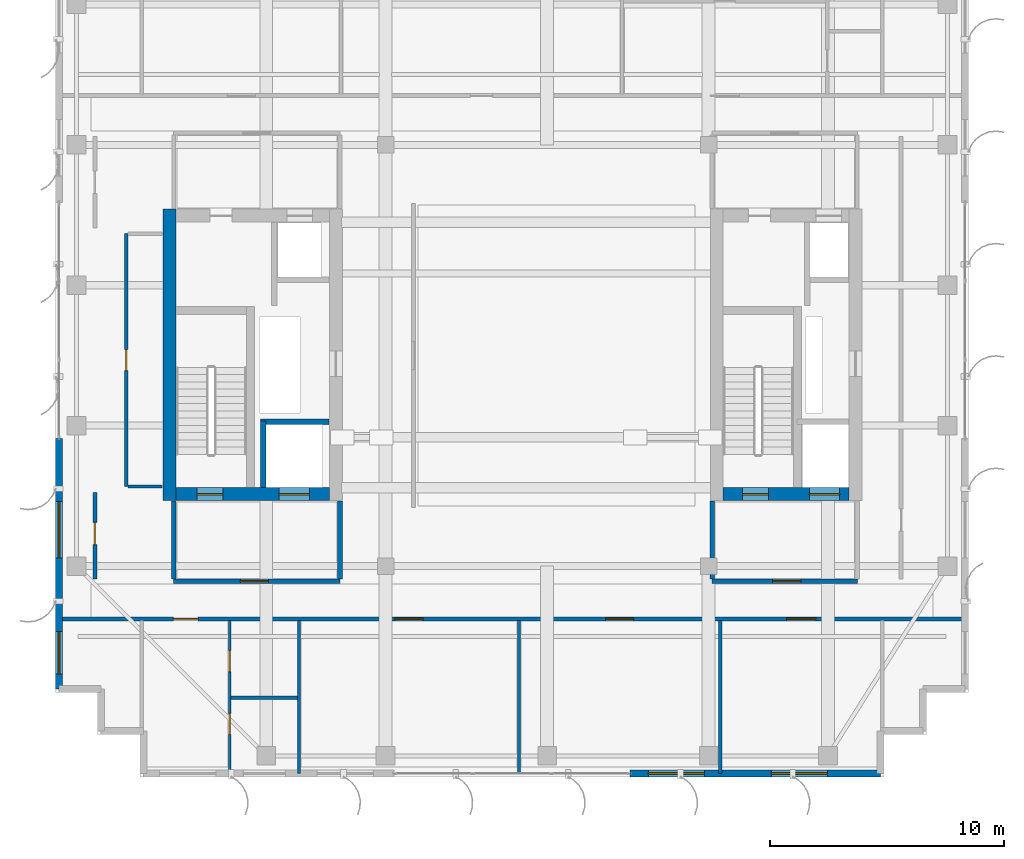
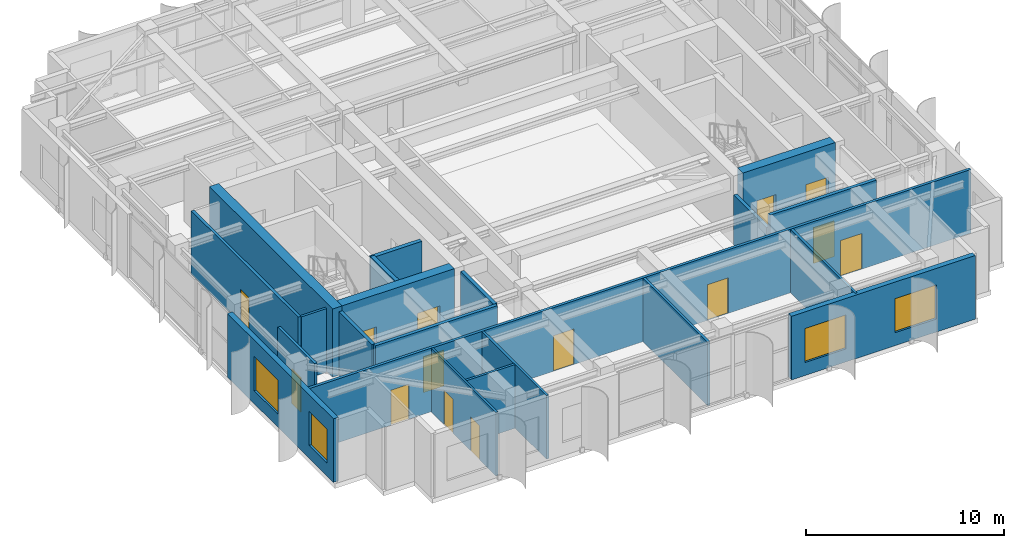
# One storey, part 20 of 26: 21 walls, 14 doors, 4 windows, 18 openings.
"""IFC4 building model written with IfcOpenShell, lengths in metres."""

from ifc_helpers import new_model, si_unit, direction, frame, frame_2d, origin, place, context, subcontext, project, spatial, rectangle, extrude, source, transform, mapped, material, layer, layer_set, type_object, element, fill, save


model = new_model("IFC4")

# Units and contexts
model_context = context("Model", 3, precision=1e-05, world=origin(), true_north=direction((0.0, 1.0)))
body_context = subcontext(model_context, "Body", "Model", "MODEL_VIEW")
ifc_project = project(units=[si_unit("LENGTHUNIT", "METRE"), si_unit("AREAUNIT", "SQUARE_METRE"), si_unit("VOLUMEUNIT", "CUBIC_METRE"), si_unit("PLANEANGLEUNIT", "RADIAN"), si_unit("MASSUNIT", "GRAM", prefix="KILO")], contexts=[model_context])

# Site, building, storey
site_placement = place(None, origin())
site = spatial("IfcSite", under=ifc_project, at=site_placement, CompositionType="ELEMENT")
building_placement = place(site_placement, origin())
building = spatial("IfcBuilding", under=site, at=building_placement, Name="Khoralis Quay Care Tower", CompositionType="ELEMENT")
storey_placement = place(building_placement, frame((0.0, 0.0, 289.5)))
storey = spatial("IfcBuildingStorey", under=building, at=storey_placement, Name="L76", CompositionType="ELEMENT", Elevation=289.5)

# Wall, opening, door
ifc_material_1 = material(Name="Gypsum plasterboard on acoustic metal stud")
ifc_layer_1 = layer(ifc_material_1, 0.199951171875)
ifc_layer_set_1 = layer_set([ifc_layer_1], Name="Gypsum plasterboard on acoustic metal stud")
wall_type_1 = type_object("IfcWallType", Name="WL-COMP-200", PredefinedType="PARTITIONING", material=ifc_layer_set_1)
wall_1_placement = place(storey_placement, frame((8.050048828125, 11.35009765625, 0.0), z_axis=(0.0, 0.0, 1.0), x_axis=(1.0, 0.0, 0.0)))
wall_1 = element("IfcWall", 1, at=wall_1_placement, inside=storey, type_object=wall_type_1, Name="L76 West Firefighting Lobby South Wall", PredefinedType="PARTITIONING", context=body_context, shape_type="SweptSolid", body=[
    extrude(rectangle(XDim=7.099853515625, YDim=0.199951171875, at=frame_2d((3.5498046875, 0.0))), origin(), (0.0, 0.0, 1.0), 3.919921875),
])
opening_1_placement = place(wall_1_placement, frame((2.846435546875, 0.0, 0.0)))
opening_1 = element("IfcOpeningElement", 2, at=opening_1_placement, cuts=wall_1, Name="Opening FD1", PredefinedType="OPENING", context=body_context, shape_type="SweptSolid", body=[
    extrude(rectangle(XDim=1.199951171875, YDim=2.199951171875, at=frame_2d((0.60009765625, 1.10009765625))), frame((0.0, 0.10986328125, 0.0), z_axis=(0.0, -1.0, 0.0), x_axis=(1.0, 0.0, 0.0)), (0.0, 0.0, 1.0), 0.219970703125),
])
ifc_material_2 = material(Name="Fire-rated painted steel", Category="steel")
door_type_1 = type_object("IfcDoorType", Name="DR-FFL-1200X2200", OperationType="NOTDEFINED", PredefinedType="DOOR", material=ifc_material_2)
shared_shape_1 = source(origin(), body_context, "Body", "SweptSolid", [
    extrude(rectangle(XDim=1.199951171875, YDim=2.199951171875, at=frame_2d((0.60009765625, 1.10009765625))), frame((0.0, 0.02490234375, 0.0), z_axis=(0.0, -1.0, 0.0), x_axis=(1.0, 0.0, 0.0)), (0.0, 0.0, 1.0), 0.050048828125),
])
door_1_placement = place(opening_1_placement, origin())
door_1 = element("IfcDoor", 3, at=door_1_placement, inside=storey, type_object=door_type_1, Name="L76 West Firefighting Lobby Fire Door", OperationType="SINGLE_SWING_RIGHT", OverallHeight=2.199951171875, OverallWidth=1.199951171875, PredefinedType="DOOR", context=body_context, shape_type="MappedRepresentation", body=[
    mapped(shared_shape_1, transform((0.0, 0.0, 0.0), scale=1.0)),
])
fill(opening_1, door_1)

# Walls
for number, where, z_axis, x_axis, name in (
    (4, (8.050048828125, 11.445068359375, 0.0), (0.0, 0.0, 1.0), (0.0, 1.0, 0.0), "L76 West Firefighting Lobby West Wall"),
    (5, (15.14990234375, 11.445068359375, 0.0), (0.0, 0.0, 1.0), (0.0, 1.0, 0.0), "L76 West Firefighting Lobby East Wall"),
):
    element("IfcWall", number, at=place(storey_placement, frame(where, z_axis=z_axis, x_axis=x_axis)), inside=storey, type_object=wall_type_1, Name=name, PredefinedType="PARTITIONING", context=body_context, shape_type="SweptSolid", body=[
        extrude(rectangle(XDim=3.3349609375, YDim=0.199951171875, at=frame_2d((1.66748046875, 0.0))), origin(), (0.0, 0.0, 1.0), 3.919921875),
    ])

# Wall, opening, door
wall_2_placement = place(storey_placement, frame((31.050048828125, 11.35009765625, 0.0), z_axis=(0.0, 0.0, 1.0), x_axis=(1.0, 0.0, 0.0)))
wall_2 = element("IfcWall", 6, at=wall_2_placement, inside=storey, type_object=wall_type_1, Name="L76 East Firefighting Lobby South Wall", PredefinedType="PARTITIONING", context=body_context, shape_type="SweptSolid", body=[
    extrude(rectangle(XDim=6.199951171875, YDim=0.199951171875, at=frame_2d((3.10009765625, 0.0))), origin(), (0.0, 0.0, 1.0), 3.919921875),
])
opening_2_placement = place(wall_2_placement, frame((2.585693359375, 0.0, 0.0)))
opening_2 = element("IfcOpeningElement", 7, at=opening_2_placement, cuts=wall_2, Name="Opening FD1", PredefinedType="OPENING", context=body_context, shape_type="SweptSolid", body=[
    extrude(rectangle(XDim=1.199951171875, YDim=2.199951171875, at=frame_2d((0.60009765625, 1.10009765625))), frame((0.0, 0.10986328125, 0.0), z_axis=(0.0, -1.0, 0.0), x_axis=(1.0, 0.0, 0.0)), (0.0, 0.0, 1.0), 0.219970703125),
])
door_2_placement = place(opening_2_placement, origin())
door_2 = element("IfcDoor", 8, at=door_2_placement, inside=storey, type_object=door_type_1, Name="L76 East Firefighting Lobby Fire Door", OperationType="SINGLE_SWING_LEFT", OverallHeight=2.199951171875, OverallWidth=1.199951171875, PredefinedType="DOOR", context=body_context, shape_type="MappedRepresentation", body=[
    mapped(shared_shape_1, transform((0.0, 0.0, 0.0), scale=1.0)),
])
fill(opening_2, door_2)

# Walls
wall_3_placement = place(storey_placement, frame((31.050048828125, 11.445068359375, 0.0), z_axis=(0.0, 0.0, 1.0), x_axis=(0.0, 1.0, 0.0)))
element("IfcWall", 9, at=wall_3_placement, inside=storey, type_object=wall_type_1, Name="L76 East Firefighting Lobby West Wall", PredefinedType="PARTITIONING", context=body_context, shape_type="SweptSolid", body=[
    extrude(rectangle(XDim=3.3349609375, YDim=0.199951171875, at=frame_2d((1.66748046875, 0.0))), origin(), (0.0, 0.0, 1.0), 3.070068359375),
])
ifc_material_3 = material(Name="Concrete C65/80", Category="concrete")
ifc_layer_2 = layer(ifc_material_3, 0.550048828125)
ifc_layer_set_2 = layer_set([ifc_layer_2], Name="Concrete C65/80")
wall_type_2 = type_object("IfcWallType", Name="WL-CORE-550", PredefinedType="SHEAR", material=ifc_layer_set_2)
wall_4_placement = place(storey_placement, frame((7.875, 14.800048828125, 0.0), z_axis=(0.0, 0.0, 1.0), x_axis=(0.0, 1.0, 0.0)))
element("IfcWall", 10, at=wall_4_placement, inside=storey, type_object=wall_type_2, Name="L76 WCORE West Shear Wall", PredefinedType="SHEAR", context=body_context, shape_type="SweptSolid", body=[
    extrude(rectangle(XDim=12.449951171875, YDim=0.550048828125, at=frame_2d((6.22509765625, 0.0))), origin(), (0.0, 0.0, 1.0), 4.199951171875),
])

# Wall, openings, doors
wall_5_placement = place(storey_placement, frame((8.14990234375, 15.074951171875, 0.0), z_axis=(0.0, 0.0, 1.0), x_axis=(1.0, 0.0, 0.0)))
wall_5 = element("IfcWall", 11, at=wall_5_placement, inside=storey, type_object=wall_type_2, Name="L76 WCORE South Shear Wall", PredefinedType="SHEAR", context=body_context, shape_type="SweptSolid", body=[
    extrude(rectangle(XDim=6.550048828125, YDim=0.550048828125, at=frame_2d((3.27490234375, 0.0))), origin(), (0.0, 0.0, 1.0), 4.199951171875),
])
opening_3_placement = place(wall_5_placement, frame((0.89990234375, 0.0, 0.0)))
opening_3 = element("IfcOpeningElement", 12, at=opening_3_placement, cuts=wall_5, Name="Opening SD1", PredefinedType="OPENING", context=body_context, shape_type="SweptSolid", body=[
    extrude(rectangle(XDim=1.10009765625, YDim=2.199951171875, at=frame_2d((0.550048828125, 1.10009765625))), frame((0.0, 0.28515625, 0.0), z_axis=(0.0, -1.0, 0.0), x_axis=(1.0, 0.0, 0.0)), (0.0, 0.0, 1.0), 0.570068359375),
])
opening_4_placement = place(wall_5_placement, frame((4.39990234375, 0.0, 0.0)))
opening_4 = element("IfcOpeningElement", 13, at=opening_4_placement, cuts=wall_5, Name="Opening LD2", PredefinedType="OPENING", context=body_context, shape_type="SweptSolid", body=[
    extrude(rectangle(XDim=1.300048828125, YDim=2.199951171875, at=frame_2d((0.64990234375, 1.10009765625))), frame((0.0, 0.28515625, 0.0), z_axis=(0.0, -1.0, 0.0), x_axis=(1.0, 0.0, 0.0)), (0.0, 0.0, 1.0), 0.570068359375),
])
door_type_2 = type_object("IfcDoorType", Name="DR-STAIR-1100X2200", OperationType="NOTDEFINED", PredefinedType="DOOR", material=ifc_material_2)
shared_shape_2 = source(origin(), body_context, "Body", "SweptSolid", [
    extrude(rectangle(XDim=1.10009765625, YDim=2.199951171875, at=frame_2d((0.550048828125, 1.10009765625))), frame((0.0, 0.02490234375, 0.0), z_axis=(0.0, -1.0, 0.0), x_axis=(1.0, 0.0, 0.0)), (0.0, 0.0, 1.0), 0.050048828125),
])
door_3_placement = place(opening_3_placement, origin())
door_3 = element("IfcDoor", 14, at=door_3_placement, inside=storey, type_object=door_type_2, Name="L76 Stair ST-T1 Fire Door", OperationType="SINGLE_SWING_RIGHT", OverallHeight=2.199951171875, OverallWidth=1.10009765625, PredefinedType="DOOR", context=body_context, shape_type="MappedRepresentation", body=[
    mapped(shared_shape_2, transform((0.0, 0.0, 0.0), scale=1.0)),
])
fill(opening_3, door_3)
ifc_material_4 = material(Name="Brushed stainless steel", Category="steel")
door_type_3 = type_object("IfcDoorType", Name="DR-LIFT-1300X2200", OperationType="SLIDING_TO_RIGHT", PredefinedType="DOOR", material=ifc_material_4)
shared_shape_3 = source(origin(), body_context, "Body", "SweptSolid", [
    extrude(rectangle(XDim=1.300048828125, YDim=2.199951171875, at=frame_2d((0.64990234375, 1.10009765625))), frame((0.0, 0.02490234375, 0.0), z_axis=(0.0, -1.0, 0.0), x_axis=(1.0, 0.0, 0.0)), (0.0, 0.0, 1.0), 0.050048828125),
])
door_4_placement = place(opening_4_placement, origin())
door_4 = element("IfcDoor", 15, at=door_4_placement, inside=storey, type_object=door_type_3, Name="L76 Firefighting Lift FFL-1 Landing Door", OperationType="SLIDING_TO_RIGHT", OverallHeight=2.199951171875, OverallWidth=1.300048828125, PredefinedType="DOOR", context=body_context, shape_type="MappedRepresentation", body=[
    mapped(shared_shape_3, transform((0.0, 0.0, 0.0), scale=1.0)),
])
fill(opening_4, door_4)

wall_6_placement = place(storey_placement, frame((31.52001953125, 15.074951171875, 0.0), z_axis=(0.0, 0.0, 1.0), x_axis=(1.0, 0.0, 0.0)))
wall_6 = element("IfcWall", 16, at=wall_6_placement, inside=storey, type_object=wall_type_2, Name="L76 ECORE South Shear Wall", PredefinedType="SHEAR", context=body_context, shape_type="SweptSolid", body=[
    extrude(rectangle(XDim=5.3798828125, YDim=0.550048828125, at=frame_2d((2.68994140625, 0.0))), origin(), (0.0, 0.0, 1.0), 4.199951171875),
])
opening_5_placement = place(wall_6_placement, frame((0.830078125, 0.0, 0.0)))
opening_5 = element("IfcOpeningElement", 17, at=opening_5_placement, cuts=wall_6, Name="Opening SD1", PredefinedType="OPENING", context=body_context, shape_type="SweptSolid", body=[
    extrude(rectangle(XDim=1.10009765625, YDim=2.199951171875, at=frame_2d((0.550048828125, 1.10009765625))), frame((0.0, 0.28515625, 0.0), z_axis=(0.0, -1.0, 0.0), x_axis=(1.0, 0.0, 0.0)), (0.0, 0.0, 1.0), 0.570068359375),
])
opening_6_placement = place(wall_6_placement, frame((3.679931640625, 0.0, 0.0)))
opening_6 = element("IfcOpeningElement", 18, at=opening_6_placement, cuts=wall_6, Name="Opening LD2", PredefinedType="OPENING", context=body_context, shape_type="SweptSolid", body=[
    extrude(rectangle(XDim=1.300048828125, YDim=2.199951171875, at=frame_2d((0.64990234375, 1.10009765625))), frame((0.0, 0.28515625, 0.0), z_axis=(0.0, -1.0, 0.0), x_axis=(1.0, 0.0, 0.0)), (0.0, 0.0, 1.0), 0.570068359375),
])
door_5_placement = place(opening_5_placement, origin())
door_5 = element("IfcDoor", 19, at=door_5_placement, inside=storey, type_object=door_type_2, Name="L76 Stair ST-T2 Fire Door", OperationType="SINGLE_SWING_LEFT", OverallHeight=2.199951171875, OverallWidth=1.10009765625, PredefinedType="DOOR", context=body_context, shape_type="MappedRepresentation", body=[
    mapped(shared_shape_2, transform((0.0, 0.0, 0.0), scale=1.0)),
])
fill(opening_5, door_5)
door_6_placement = place(opening_6_placement, origin())
door_6 = element("IfcDoor", 20, at=door_6_placement, inside=storey, type_object=door_type_3, Name="L76 Firefighting Lift FFL-2 Landing Door", OperationType="SLIDING_TO_RIGHT", OverallHeight=2.199951171875, OverallWidth=1.300048828125, PredefinedType="DOOR", context=body_context, shape_type="MappedRepresentation", body=[
    mapped(shared_shape_3, transform((0.0, 0.0, 0.0), scale=1.0)),
])
fill(opening_6, door_6)

# Wall, opening, door
ifc_layer_3 = layer(ifc_material_1, 0.1650390625)
ifc_layer_set_3 = layer_set([ifc_layer_3], Name="Gypsum plasterboard on acoustic metal stud")
wall_type_3 = type_object("IfcWallType", Name="WL-CORR-165", PredefinedType="PARTITIONING", material=ifc_layer_set_3)
wall_7_placement = place(storey_placement, frame((6.02001953125, 15.39990234375, 0.0), z_axis=(0.0, 0.0, 1.0), x_axis=(0.0, 1.0, 0.0)))
wall_7 = element("IfcWall", 21, at=wall_7_placement, inside=storey, type_object=wall_type_3, Name="L76 West Core Service Flank Wall", PredefinedType="PARTITIONING", context=body_context, shape_type="SweptSolid", body=[
    extrude(rectangle(XDim=10.800048828125, YDim=0.1650390625, at=frame_2d((5.39990234375, 0.0))), origin(), (0.0, 0.0, 1.0), 3.919921875),
])
opening_7_placement = place(wall_7_placement, frame((4.949951171875, 0.0, 0.0)))
opening_7 = element("IfcOpeningElement", 22, at=opening_7_placement, cuts=wall_7, Name="Opening WD1", PredefinedType="OPENING", context=body_context, shape_type="SweptSolid", body=[
    extrude(rectangle(XDim=0.89990234375, YDim=2.10009765625, at=frame_2d((0.449951171875, 1.050048828125))), frame((0.0, 0.092529296875, 0.0), z_axis=(0.0, -1.0, 0.0), x_axis=(1.0, 0.0, 0.0)), (0.0, 0.0, 1.0), 0.18505859375),
])
ifc_material_5 = material(Name="Acoustic hardwood timber", Category="wood")
door_type_4 = type_object("IfcDoorType", Name="DR-BATH-900X2100", OperationType="NOTDEFINED", PredefinedType="DOOR", material=ifc_material_5)
shared_shape_4 = source(origin(), body_context, "Body", "SweptSolid", [
    extrude(rectangle(XDim=0.89990234375, YDim=2.10009765625, at=frame_2d((0.449951171875, 1.050048828125))), frame((0.0, 0.02490234375, 0.0), z_axis=(0.0, -1.0, 0.0), x_axis=(1.0, 0.0, 0.0)), (0.0, 0.0, 1.0), 0.050048828125),
])
door_7_placement = place(opening_7_placement, frame((0.89990234375, 0.0, 0.0), z_axis=(0.0, 0.0, 1.0), x_axis=(-1.0, 0.0, 0.0)))
door_7 = element("IfcDoor", 23, at=door_7_placement, inside=storey, type_object=door_type_4, Name="L76 Housekeeping & Public Accessible WC Door", OperationType="SINGLE_SWING_LEFT", OverallHeight=2.10009765625, OverallWidth=0.89990234375, PredefinedType="DOOR", context=body_context, shape_type="MappedRepresentation", body=[
    mapped(shared_shape_4, transform((0.0, 0.0, 0.0), scale=1.0)),
])
fill(opening_7, door_7)

# Wall, openings, doors
wall_8_placement = place(storey_placement, frame((3.14501953125, 9.75, 0.0), z_axis=(0.0, 0.0, 1.0), x_axis=(1.0, 0.0, 0.0)))
wall_8 = element("IfcWall", 24, at=wall_8_placement, inside=storey, type_object=wall_type_3, Name="L76 South Gallery Wall", PredefinedType="PARTITIONING", context=body_context, shape_type="SweptSolid", body=[
    extrude(rectangle(XDim=38.7099609375, YDim=0.1650390625, at=frame_2d((19.35498046875, 0.0))), origin(), (0.0, 0.0, 1.0), 3.919921875),
])
opening_8_placement = place(wall_8_placement, frame((4.8916015625, 0.0, 0.0)))
opening_8 = element("IfcOpeningElement", 25, at=opening_8_placement, cuts=wall_8, Name="Opening UD1", PredefinedType="OPENING", context=body_context, shape_type="SweptSolid", body=[
    extrude(rectangle(XDim=1.050048828125, YDim=2.14990234375, at=frame_2d((0.52490234375, 1.074951171875))), frame((0.0, 0.092529296875, 0.0), z_axis=(0.0, -1.0, 0.0), x_axis=(1.0, 0.0, 0.0)), (0.0, 0.0, 1.0), 0.18505859375),
])
opening_9_placement = place(wall_8_placement, frame((14.35498046875, 0.0, 0.0)))
opening_9 = element("IfcOpeningElement", 26, at=opening_9_placement, cuts=wall_8, Name="Opening FD1", PredefinedType="OPENING", context=body_context, shape_type="SweptSolid", body=[
    extrude(rectangle(XDim=1.199951171875, YDim=2.199951171875, at=frame_2d((0.60009765625, 1.10009765625))), frame((0.0, 0.092529296875, 0.0), z_axis=(0.0, -1.0, 0.0), x_axis=(1.0, 0.0, 0.0)), (0.0, 0.0, 1.0), 0.18505859375),
])
opening_10_placement = place(wall_8_placement, frame((23.35498046875, 0.0, 0.0)))
opening_10 = element("IfcOpeningElement", 27, at=opening_10_placement, cuts=wall_8, Name="Opening FD1", PredefinedType="OPENING", context=body_context, shape_type="SweptSolid", body=[
    extrude(rectangle(XDim=1.199951171875, YDim=2.199951171875, at=frame_2d((0.60009765625, 1.10009765625))), frame((0.0, 0.092529296875, 0.0), z_axis=(0.0, -1.0, 0.0), x_axis=(1.0, 0.0, 0.0)), (0.0, 0.0, 1.0), 0.18505859375),
])
opening_11_placement = place(wall_8_placement, frame((31.090087890625, 0.0, 0.0)))
opening_11 = element("IfcOpeningElement", 28, at=opening_11_placement, cuts=wall_8, Name="Opening CD1", PredefinedType="OPENING", context=body_context, shape_type="SweptSolid", body=[
    extrude(rectangle(XDim=1.25, YDim=2.199951171875, at=frame_2d((0.625, 1.10009765625))), frame((0.0, 0.092529296875, 0.0), z_axis=(0.0, -1.0, 0.0), x_axis=(1.0, 0.0, 0.0)), (0.0, 0.0, 1.0), 0.18505859375),
])
door_8_placement = place(opening_9_placement, frame((1.199951171875, 0.0, 0.0), z_axis=(0.0, 0.0, 1.0), x_axis=(-1.0, 0.0, 0.0)))
door_8 = element("IfcDoor", 29, at=door_8_placement, inside=storey, type_object=door_type_1, Name="L76 Resident Communal Day Lounge Door", OperationType="DOUBLE_DOOR_SINGLE_SWING", OverallHeight=2.199951171875, OverallWidth=1.199951171875, PredefinedType="DOOR", context=body_context, shape_type="MappedRepresentation", body=[
    mapped(shared_shape_1, transform((0.0, 0.0, 0.0), scale=1.0)),
])
fill(opening_9, door_8)
door_9_placement = place(opening_10_placement, frame((1.199951171875, 0.0, 0.0), z_axis=(0.0, 0.0, 1.0), x_axis=(-1.0, 0.0, 0.0)))
door_9 = element("IfcDoor", 30, at=door_9_placement, inside=storey, type_object=door_type_1, Name="L76 Resident Communal Day Lounge Door", OperationType="DOUBLE_DOOR_SINGLE_SWING", OverallHeight=2.199951171875, OverallWidth=1.199951171875, PredefinedType="DOOR", context=body_context, shape_type="MappedRepresentation", body=[
    mapped(shared_shape_1, transform((0.0, 0.0, 0.0), scale=1.0)),
])
fill(opening_10, door_9)
door_type_5 = type_object("IfcDoorType", Name="DR-CARE-1250X2200", OperationType="NOTDEFINED", PredefinedType="DOOR", material=ifc_material_5)
shared_shape_5 = source(origin(), body_context, "Body", "SweptSolid", [
    extrude(rectangle(XDim=1.25, YDim=2.199951171875, at=frame_2d((0.625, 1.10009765625))), frame((0.0, 0.02490234375, 0.0), z_axis=(0.0, -1.0, 0.0), x_axis=(1.0, 0.0, 0.0)), (0.0, 0.0, 1.0), 0.050048828125),
])
door_10_placement = place(opening_11_placement, frame((1.25, 0.0, 0.0), z_axis=(0.0, 0.0, 1.0), x_axis=(-1.0, 0.0, 0.0)))
door_10 = element("IfcDoor", 31, at=door_10_placement, inside=storey, type_object=door_type_5, Name="L76 Physiotherapy Treatment Clinic Door", OperationType="SINGLE_SWING_LEFT", OverallHeight=2.199951171875, OverallWidth=1.25, PredefinedType="DOOR", context=body_context, shape_type="MappedRepresentation", body=[
    mapped(shared_shape_5, transform((0.0, 0.0, 0.0), scale=1.0)),
])
fill(opening_11, door_10)
door_type_6 = type_object("IfcDoorType", Name="DR-SUITE-1050X2150", OperationType="NOTDEFINED", PredefinedType="DOOR", material=ifc_material_5)
shared_shape_6 = source(origin(), body_context, "Body", "SweptSolid", [
    extrude(rectangle(XDim=1.050048828125, YDim=2.14990234375, at=frame_2d((0.52490234375, 1.074951171875))), frame((0.0, 0.02490234375, 0.0), z_axis=(0.0, -1.0, 0.0), x_axis=(1.0, 0.0, 0.0)), (0.0, 0.0, 1.0), 0.050048828125),
])
door_11_placement = place(opening_8_placement, frame((1.050048828125, 0.0, 0.0), z_axis=(0.0, 0.0, 1.0), x_axis=(-1.0, 0.0, 0.0)))
door_11 = element("IfcDoor", 32, at=door_11_placement, inside=storey, type_object=door_type_6, Name="L76 Studio SB0 Entrance", OperationType="SINGLE_SWING_RIGHT", OverallHeight=2.14990234375, OverallWidth=1.050048828125, PredefinedType="DOOR", context=body_context, shape_type="MappedRepresentation", body=[
    mapped(shared_shape_6, transform((0.0, 0.0, 0.0), scale=1.0)),
])
fill(opening_8, door_11)

# Wall, opening, door
wall_9_placement = place(storey_placement, frame((4.679931640625, 11.449951171875, 0.0), z_axis=(0.0, 0.0, 1.0), x_axis=(0.0, 1.0, 0.0)))
wall_9 = element("IfcWall", 33, at=wall_9_placement, inside=storey, type_object=wall_type_3, Name="L76 West Sky Lounge South Wall", PredefinedType="PARTITIONING", context=body_context, shape_type="SweptSolid", body=[
    extrude(rectangle(XDim=3.699951171875, YDim=0.1650390625, at=frame_2d((1.85009765625, 0.0))), origin(), (0.0, 0.0, 1.0), 3.919921875),
])
opening_12_placement = place(wall_9_placement, frame((1.47509765625, 0.0, 0.0)))
opening_12 = element("IfcOpeningElement", 34, at=opening_12_placement, cuts=wall_9, Name="Opening ID1", PredefinedType="OPENING", context=body_context, shape_type="SweptSolid", body=[
    extrude(rectangle(XDim=0.949951171875, YDim=2.10009765625, at=frame_2d((0.47509765625, 1.050048828125))), frame((0.0, 0.092529296875, 0.0), z_axis=(0.0, -1.0, 0.0), x_axis=(1.0, 0.0, 0.0)), (0.0, 0.0, 1.0), 0.18505859375),
])
door_type_7 = type_object("IfcDoorType", Name="DR-ROOM-950X2100", OperationType="NOTDEFINED", PredefinedType="DOOR", material=ifc_material_5)
shared_shape_7 = source(origin(), body_context, "Body", "SweptSolid", [
    extrude(rectangle(XDim=0.949951171875, YDim=2.10009765625, at=frame_2d((0.47509765625, 1.050048828125))), frame((0.0, 0.02490234375, 0.0), z_axis=(0.0, -1.0, 0.0), x_axis=(1.0, 0.0, 0.0)), (0.0, 0.0, 1.0), 0.050048828125),
])
door_12_placement = place(opening_12_placement, frame((0.949951171875, 0.0, 0.0), z_axis=(0.0, 0.0, 1.0), x_axis=(-1.0, 0.0, 0.0)))
door_12 = element("IfcDoor", 35, at=door_12_placement, inside=storey, type_object=door_type_7, Name="L76 West Sky Lounge Door", OperationType="SINGLE_SWING_LEFT", OverallHeight=2.10009765625, OverallWidth=0.949951171875, PredefinedType="DOOR", context=body_context, shape_type="MappedRepresentation", body=[
    mapped(shared_shape_7, transform((0.0, 0.0, 0.0), scale=1.0)),
])
fill(opening_12, door_12)

# Wall, openings, windows
ifc_material_6 = material(Name="Precast concrete C45/55", Category="concrete")
ifc_layer_4 = layer(ifc_material_6, 0.300048828125)
ifc_layer_set_4 = layer_set([ifc_layer_4], Name="Precast concrete C45/55")
wall_type_4 = type_object("IfcWallType", Name="WL-EXT-REF-300", PredefinedType="SOLIDWALL", material=ifc_layer_set_4)
wall_10_placement = place(storey_placement, frame((27.5400390625, 3.14990234375, 0.0), z_axis=(0.0, 0.0, 1.0), x_axis=(1.0, 0.0, 0.0)))
wall_10 = element("IfcWall", 36, at=wall_10_placement, inside=storey, type_object=wall_type_4, Name="L76 External Facade Wall WL-EXT-L76-P1-E0B", PredefinedType="SOLIDWALL", context=body_context, shape_type="SweptSolid", body=[
    extrude(rectangle(XDim=10.7099609375, YDim=0.300048828125, at=frame_2d((5.35498046875, 0.0))), origin(), (0.0, 0.0, 1.0), 3.919921875),
])
opening_13_placement = place(wall_10_placement, frame((0.780029296875, 0.0, 0.800048828125)))
opening_13 = element("IfcOpeningElement", 37, at=opening_13_placement, cuts=wall_10, Name="Opening W1", PredefinedType="OPENING", context=body_context, shape_type="SweptSolid", body=[
    extrude(rectangle(XDim=2.39990234375, YDim=2.10009765625, at=frame_2d((1.199951171875, 1.050048828125))), frame((0.0, 0.16015625, 0.0), z_axis=(0.0, -1.0, 0.0), x_axis=(1.0, 0.0, 0.0)), (0.0, 0.0, 1.0), 0.320068359375),
])
opening_14_placement = place(wall_10_placement, frame((6.034912109375, 0.0, 0.800048828125)))
opening_14 = element("IfcOpeningElement", 38, at=opening_14_placement, cuts=wall_10, Name="Opening W1", PredefinedType="OPENING", context=body_context, shape_type="SweptSolid", body=[
    extrude(rectangle(XDim=2.39990234375, YDim=2.10009765625, at=frame_2d((1.199951171875, 1.050048828125))), frame((0.0, 0.16015625, 0.0), z_axis=(0.0, -1.0, 0.0), x_axis=(1.0, 0.0, 0.0)), (0.0, 0.0, 1.0), 0.320068359375),
])
ifc_material_7 = material(Name="Low-E solar-control double glazing", Category="glass")
window_type_1 = type_object("IfcWindowType", Name="WN-POD-2400X2100", PartitioningType="SINGLE_PANEL", PredefinedType="WINDOW", material=ifc_material_7)
shared_shape_8 = source(origin(), body_context, "Body", "SweptSolid", [
    extrude(rectangle(XDim=2.39990234375, YDim=2.10009765625, at=frame_2d((1.199951171875, 1.050048828125))), frame((0.0, 0.030029296875, 0.0), z_axis=(0.0, -1.0, 0.0), x_axis=(1.0, 0.0, 0.0)), (0.0, 0.0, 1.0), 0.06005859375),
])
window_1_placement = place(opening_13_placement, origin())
window_1 = element("IfcWindow", 39, at=window_1_placement, inside=storey, type_object=window_type_1, Name="WN-L76-P1-E0B Facade Window 01", OverallHeight=2.10009765625, OverallWidth=2.39990234375, PartitioningType="SINGLE_PANEL", PredefinedType="WINDOW", context=body_context, shape_type="MappedRepresentation", body=[
    mapped(shared_shape_8, transform((0.0, 0.0, 0.0), scale=1.0)),
])
fill(opening_13, window_1)
window_2_placement = place(opening_14_placement, origin())
window_2 = element("IfcWindow", 40, at=window_2_placement, inside=storey, type_object=window_type_1, Name="WN-L76-P1-E0B Facade Window 02", OverallHeight=2.10009765625, OverallWidth=2.39990234375, PartitioningType="SINGLE_PANEL", PredefinedType="WINDOW", context=body_context, shape_type="MappedRepresentation", body=[
    mapped(shared_shape_8, transform((0.0, 0.0, 0.0), scale=1.0)),
])
fill(opening_14, window_2)

wall_11_placement = place(storey_placement, frame((3.14990234375, 17.4599609375, 0.0), z_axis=(0.0, 0.0, 1.0), x_axis=(0.0, -1.0, 0.0)))
wall_11 = element("IfcWall", 41, at=wall_11_placement, inside=storey, type_object=wall_type_4, Name="L76 External Facade Wall WL-EXT-L76-P1-E15B", PredefinedType="SOLIDWALL", context=body_context, shape_type="SweptSolid", body=[
    extrude(rectangle(XDim=10.7099609375, YDim=0.300048828125, at=frame_2d((5.35498046875, 0.0))), origin(), (0.0, 0.0, 1.0), 3.919921875),
])
opening_15_placement = place(wall_11_placement, frame((2.705078125, 0.0, 0.800048828125)))
opening_15 = element("IfcOpeningElement", 42, at=opening_15_placement, cuts=wall_11, Name="Opening W1", PredefinedType="OPENING", context=body_context, shape_type="SweptSolid", body=[
    extrude(rectangle(XDim=2.39990234375, YDim=2.10009765625, at=frame_2d((1.199951171875, 1.050048828125))), frame((0.0, 0.16015625, 0.0), z_axis=(0.0, -1.0, 0.0), x_axis=(1.0, 0.0, 0.0)), (0.0, 0.0, 1.0), 0.320068359375),
])
opening_16_placement = place(wall_11_placement, frame((8.260009765625, 0.0, 0.800048828125)))
opening_16 = element("IfcOpeningElement", 43, at=opening_16_placement, cuts=wall_11, Name="Opening W2", PredefinedType="OPENING", context=body_context, shape_type="SweptSolid", body=[
    extrude(rectangle(XDim=1.800048828125, YDim=2.10009765625, at=frame_2d((0.89990234375, 1.050048828125))), frame((0.0, 0.16015625, 0.0), z_axis=(0.0, -1.0, 0.0), x_axis=(1.0, 0.0, 0.0)), (0.0, 0.0, 1.0), 0.320068359375),
])
window_3_placement = place(opening_15_placement, origin())
window_3 = element("IfcWindow", 44, at=window_3_placement, inside=storey, type_object=window_type_1, Name="WN-L76-P1-E15B Facade Window 01", OverallHeight=2.10009765625, OverallWidth=2.39990234375, PartitioningType="SINGLE_PANEL", PredefinedType="WINDOW", context=body_context, shape_type="MappedRepresentation", body=[
    mapped(shared_shape_8, transform((0.0, 0.0, 0.0), scale=1.0)),
])
fill(opening_15, window_3)
window_type_2 = type_object("IfcWindowType", Name="WN-POD-1800X2100", PartitioningType="SINGLE_PANEL", PredefinedType="WINDOW", material=ifc_material_7)
shared_shape_9 = source(origin(), body_context, "Body", "SweptSolid", [
    extrude(rectangle(XDim=1.800048828125, YDim=2.10009765625, at=frame_2d((0.89990234375, 1.050048828125))), frame((0.0, 0.030029296875, 0.0), z_axis=(0.0, -1.0, 0.0), x_axis=(1.0, 0.0, 0.0)), (0.0, 0.0, 1.0), 0.06005859375),
])
window_4_placement = place(opening_16_placement, origin())
window_4 = element("IfcWindow", 45, at=window_4_placement, inside=storey, type_object=window_type_2, Name="WN-L76-P1-E15B Facade Window 02", OverallHeight=2.10009765625, OverallWidth=1.800048828125, PartitioningType="SINGLE_PANEL", PredefinedType="WINDOW", context=body_context, shape_type="MappedRepresentation", body=[
    mapped(shared_shape_9, transform((0.0, 0.0, 0.0), scale=1.0)),
])
fill(opening_16, window_4)

# Wall, openings, doors
ifc_layer_5 = layer(ifc_material_1, 0.114990234375)
ifc_layer_set_5 = layer_set([ifc_layer_5], Name="Gypsum plasterboard on acoustic metal stud")
wall_type_5 = type_object("IfcWallType", Name="WL-PART-115", PredefinedType="PARTITIONING", material=ifc_layer_set_5)
wall_12_placement = place(storey_placement, frame((10.443115234375, 3.14501953125, 0.0), z_axis=(0.0, 0.0, 1.0), x_axis=(0.0, 1.0, 0.0)))
wall_12 = element("IfcWall", 46, at=wall_12_placement, inside=storey, type_object=wall_type_5, Name="L76 Studio 0 Internal Wall", PredefinedType="PARTITIONING", context=body_context, shape_type="SweptSolid", body=[
    extrude(rectangle(XDim=6.527587890625, YDim=0.114990234375, at=frame_2d((3.263671875, 0.0))), origin(), (0.0, 0.0, 1.0), 3.919921875),
])
opening_17_placement = place(wall_12_placement, frame((1.66748046875, 0.0, 0.0)))
opening_17 = element("IfcOpeningElement", 47, at=opening_17_placement, cuts=wall_12, Name="Opening WD1", PredefinedType="OPENING", context=body_context, shape_type="SweptSolid", body=[
    extrude(rectangle(XDim=0.89990234375, YDim=2.10009765625, at=frame_2d((0.449951171875, 1.050048828125))), frame((0.0, 0.0673828125, 0.0), z_axis=(0.0, -1.0, 0.0), x_axis=(1.0, 0.0, 0.0)), (0.0, 0.0, 1.0), 0.135009765625),
])
opening_18_placement = place(wall_12_placement, frame((4.3525390625, 0.0, 0.0)))
opening_18 = element("IfcOpeningElement", 48, at=opening_18_placement, cuts=wall_12, Name="Opening WD1", PredefinedType="OPENING", context=body_context, shape_type="SweptSolid", body=[
    extrude(rectangle(XDim=0.89990234375, YDim=2.10009765625, at=frame_2d((0.449951171875, 1.050048828125))), frame((0.0, 0.0673828125, 0.0), z_axis=(0.0, -1.0, 0.0), x_axis=(1.0, 0.0, 0.0)), (0.0, 0.0, 1.0), 0.135009765625),
])
door_13_placement = place(opening_17_placement, frame((0.89990234375, 0.0, 0.0), z_axis=(0.0, 0.0, 1.0), x_axis=(-1.0, 0.0, 0.0)))
door_13 = element("IfcDoor", 49, at=door_13_placement, inside=storey, type_object=door_type_4, Name="L76 Studio SKT Door", OperationType="SINGLE_SWING_LEFT", OverallHeight=2.10009765625, OverallWidth=0.89990234375, PredefinedType="DOOR", context=body_context, shape_type="MappedRepresentation", body=[
    mapped(shared_shape_4, transform((0.0, 0.0, 0.0), scale=1.0)),
])
fill(opening_17, door_13)
door_14_placement = place(opening_18_placement, frame((0.89990234375, 0.0, 0.0), z_axis=(0.0, 0.0, 1.0), x_axis=(-1.0, 0.0, 0.0)))
door_14 = element("IfcDoor", 50, at=door_14_placement, inside=storey, type_object=door_type_4, Name="L76 Studio SBH Door", OperationType="SINGLE_SWING_RIGHT", OverallHeight=2.10009765625, OverallWidth=0.89990234375, PredefinedType="DOOR", context=body_context, shape_type="MappedRepresentation", body=[
    mapped(shared_shape_4, transform((0.0, 0.0, 0.0), scale=1.0)),
])
fill(opening_18, door_14)

# Walls
ifc_material_8 = material(Name="Moisture-resistant gypsum and ceramic tile")
ifc_layer_6 = layer(ifc_material_8, 0.280029296875)
ifc_layer_set_6 = layer_set([ifc_layer_6], Name="Moisture-resistant gypsum and ceramic tile")
wall_type_6 = type_object("IfcWallType", Name="WL-PLUMB-280", PredefinedType="PLUMBINGWALL", material=ifc_layer_set_6)
wall_13_placement = place(storey_placement, frame((10.49560546875, 6.375, 0.0), z_axis=(0.0, 0.0, 1.0), x_axis=(1.0, 0.0, 0.0)))
element("IfcWall", 51, at=wall_13_placement, inside=storey, type_object=wall_type_6, Name="L76 Studio 0 Wet Split", PredefinedType="PLUMBINGWALL", context=body_context, shape_type="SweptSolid", body=[
    extrude(rectangle(XDim=2.83935546875, YDim=0.139892578125, at=frame_2d((1.419677734375, 0.0))), origin(), (0.0, 0.0, 1.0), 3.919921875),
])
ifc_layer_7 = layer(ifc_material_1, 0.239990234375)
ifc_layer_set_7 = layer_set([ifc_layer_7], Name="Gypsum plasterboard on acoustic metal stud")
wall_type_7 = type_object("IfcWallType", Name="WL-SHAFT-240", PredefinedType="PARTITIONING", material=ifc_layer_set_7)
wall_14_placement = place(storey_placement, frame((11.8798828125, 15.35009765625, 0.0), z_axis=(0.0, 0.0, 1.0), x_axis=(0.0, 1.0, 0.0)))
element("IfcWall", 52, at=wall_14_placement, inside=storey, type_object=wall_type_7, Name="L76 FFL-1 Shaft Wall West", PredefinedType="PARTITIONING", context=body_context, shape_type="SweptSolid", body=[
    extrude(rectangle(XDim=2.849853515625, YDim=0.239990234375, at=frame_2d((1.4248046875, 0.0))), origin(), (0.0, 0.0, 1.0), 3.919921875),
])
wall_15_placement = place(storey_placement, frame((11.760009765625, 18.169921875, 0.0), z_axis=(0.0, 0.0, 1.0), x_axis=(1.0, 0.0, 0.0)))
element("IfcWall", 53, at=wall_15_placement, inside=storey, type_object=wall_type_7, Name="L76 FFL-1 Shaft Wall North", PredefinedType="PARTITIONING", context=body_context, shape_type="SweptSolid", body=[
    extrude(rectangle(XDim=2.919921875, YDim=0.239990234375, at=frame_2d((1.4599609375, 0.0))), origin(), (0.0, 0.0, 1.0), 3.919921875),
])
ifc_layer_8 = layer(ifc_material_1, 0.139892578125)
ifc_layer_set_8 = layer_set([ifc_layer_8], Name="Gypsum plasterboard on acoustic metal stud")
wall_type_8 = type_object("IfcWallType", Name="WL-UNIT-140", PredefinedType="PARTITIONING", material=ifc_layer_set_8)
wall_16_placement = place(storey_placement, frame((6.097412109375, 15.39990234375, 0.0), z_axis=(0.0, 0.0, 1.0), x_axis=(1.0, 0.0, 0.0)))
element("IfcWall", 54, at=wall_16_placement, inside=storey, type_object=wall_type_8, Name="L76 West Flank South Cap", PredefinedType="PARTITIONING", context=body_context, shape_type="SweptSolid", body=[
    extrude(rectangle(XDim=1.462646484375, YDim=0.139892578125, at=frame_2d((0.7314453125, 0.0))), origin(), (0.0, 0.0, 1.0), 3.919921875),
])
for number, where, z_axis, x_axis, name in (
    (55, (13.39990234375, 3.14501953125, 0.0), (0.0, 0.0, 1.0), (0.0, 1.0, 0.0), "L76 SB Demising Wall 1"),
    (56, (22.800048828125, 3.14501953125, 0.0), (0.0, 0.0, 1.0), (0.0, 1.0, 0.0), "L76 SB Demising Wall 2"),
    (57, (31.39990234375, 3.14501953125, 0.0), (0.0, 0.0, 1.0), (0.0, 1.0, 0.0), "L76 SB Demising Wall 3"),
):
    element("IfcWall", number, at=place(storey_placement, frame(where, z_axis=z_axis, x_axis=x_axis)), inside=storey, type_object=wall_type_8, Name=name, PredefinedType="PARTITIONING", context=body_context, shape_type="SweptSolid", body=[
        extrude(rectangle(XDim=6.527587890625, YDim=0.139892578125, at=frame_2d((3.263671875, 0.0))), origin(), (0.0, 0.0, 1.0), 3.919921875),
    ])

save(model, "model.ifc")
